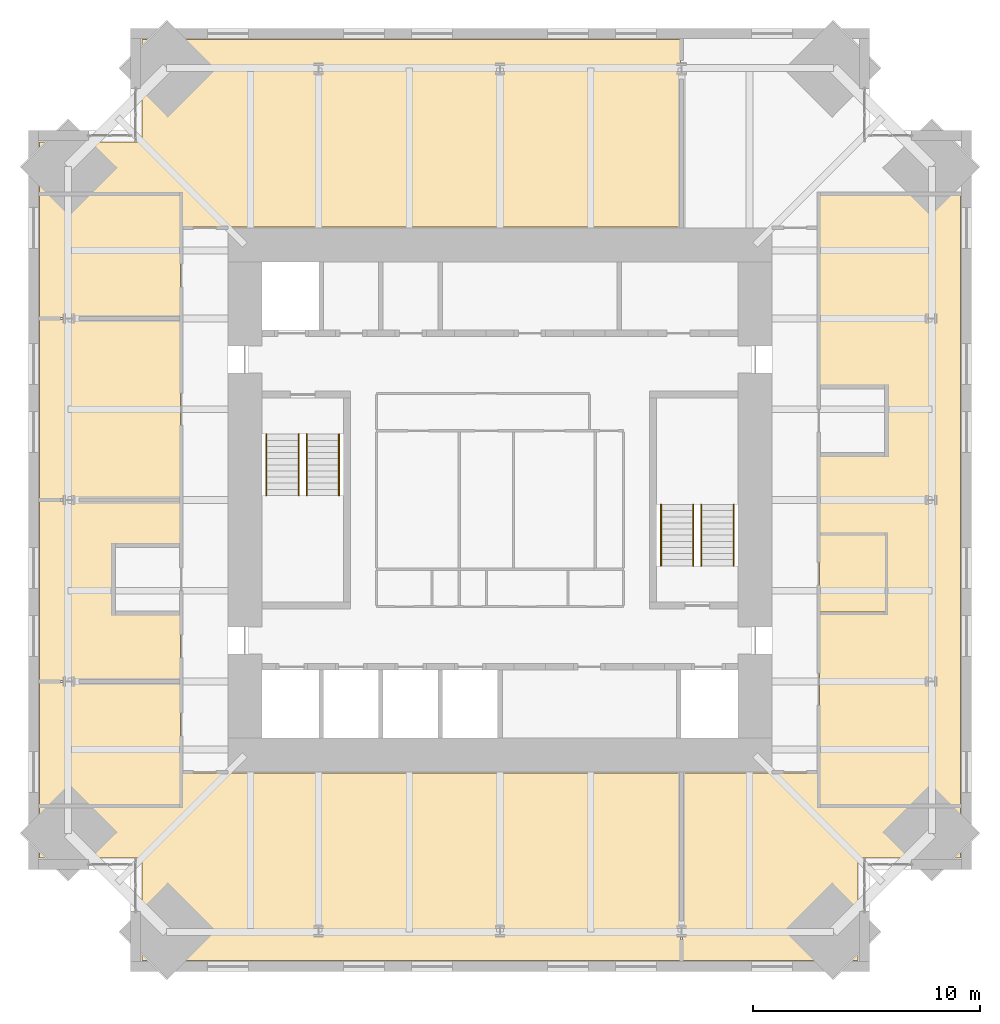
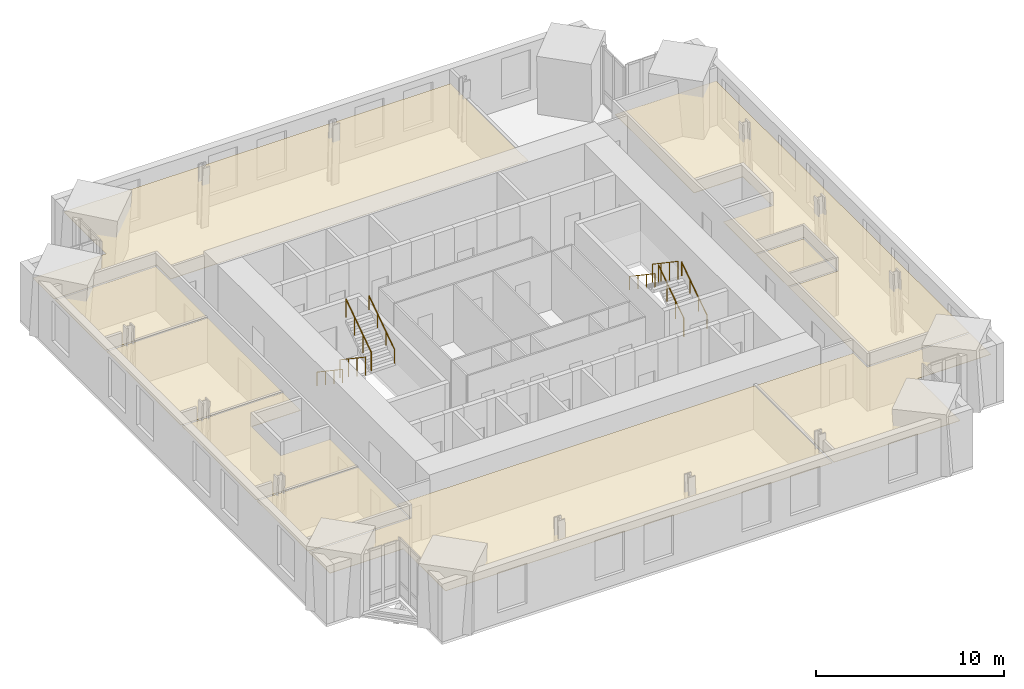
# One storey, part 15 of 15: 9 coverings, 8 railings.
"""IFC4 building model written with IfcOpenShell, lengths in metres."""

import ifcopenshell
import ifcopenshell.guid

model = None  # the IFC model being written
_history = None  # IfcOwnerHistory: only IFC2X3 demands one
_inside = {}  # id of a spatial element -> (the spatial element, [elements in it])
_under = {}  # id of a project, library or spatial element -> (it, [spatial elements below it])
_declared = {}  # id of a project -> (the project, [libraries it declares])
_typed = {}  # id of a type object -> (the type object, [elements of that type])
_made_of = {}  # id of a material, layer set ... -> (it, [elements and type objects made of it])


def new_model(schema):
    """Start an empty IFC model of exactly this schema.

    Asked for "IFC4X3", IfcOpenShell would pick the latest addendum, in which some entities
    have other attributes; the version numbers below select the first issue.
    IFC2X3 requires an IfcOwnerHistory on every rooted entity: one is made here for all.
    """
    global model, _history
    if schema == "IFC4X3":
        model = ifcopenshell.file(schema_version=(4, 3, 0, 0))
    else:
        model = ifcopenshell.file(schema=schema)
    _inside.clear()
    _under.clear()
    _declared.clear()
    _typed.clear()
    _made_of.clear()
    _history = None
    if model.schema == "IFC2X3":
        org = make("IfcOrganization", Name="unknown")
        user = make(
            "IfcPersonAndOrganization",
            ThePerson=make("IfcPerson", FamilyName="unknown"),
            TheOrganization=org,
        )
        app = make(
            "IfcApplication",
            ApplicationDeveloper=org,
            Version="unknown",
            ApplicationFullName="unknown",
            ApplicationIdentifier="unknown",
        )
        _history = make(
            "IfcOwnerHistory",
            OwningUser=user,
            OwningApplication=app,
            ChangeAction="ADDED",
            CreationDate=0,
        )
    return model


def make(cls, **values):
    """One entity of the class cls with the attributes given. An attribute that is None is left unset."""
    return model.create_entity(
        cls, **{name: value for name, value in values.items() if value is not None}
    )


def rooted(cls, **values):
    """An entity with a GlobalId (a new one), such as an element, a storey or a relation."""
    return make(cls, GlobalId=ifcopenshell.guid.new(), OwnerHistory=_history, **values)


def si_unit(unit_type, name, prefix=None):
    """IfcSIUnit, for example si_unit("LENGTHUNIT", "METRE", prefix="MILLI")."""
    return make("IfcSIUnit", UnitType=unit_type, Prefix=prefix, Name=name)


def assignment(units):
    """IfcUnitAssignment: the units of a project."""
    return None if units is None else make("IfcUnitAssignment", Units=units)


def point(xyz):
    """IfcCartesianPoint."""
    return None if xyz is None else make("IfcCartesianPoint", Coordinates=xyz)


def direction(xyz):
    """IfcDirection."""
    return None if xyz is None else make("IfcDirection", DirectionRatios=xyz)


def frame(location, z_axis=None, x_axis=None):
    """IfcAxis2Placement3D, a coordinate frame: its origin and axes. An axis left out is left unset."""
    return make(
        "IfcAxis2Placement3D",
        Location=point(location),
        Axis=direction(z_axis),
        RefDirection=direction(x_axis),
    )


def frame_2d(location, x_axis=None):
    """IfcAxis2Placement2D, a coordinate frame in the plane: its origin and x axis."""
    return make(
        "IfcAxis2Placement2D", Location=point(location), RefDirection=direction(x_axis)
    )


def origin():
    """The frame at (0, 0, 0) with its axes left unset."""
    return frame((0.0, 0.0, 0.0))


def origin_2d():
    """The frame at (0, 0) in the plane with its x axis left unset."""
    return frame_2d((0.0, 0.0))


def place(relative_to, where):
    """IfcLocalPlacement: puts the frame where relative to a parent placement (None: the world)."""
    return make(
        "IfcLocalPlacement", PlacementRelTo=relative_to, RelativePlacement=where
    )


def context(
    kind, dimensions, precision=None, world=None, true_north=None, identifier=None
):
    """IfcGeometricRepresentationContext, for example the 3D "Model" context."""
    return make(
        "IfcGeometricRepresentationContext",
        ContextIdentifier=identifier,
        ContextType=kind,
        CoordinateSpaceDimension=dimensions,
        Precision=precision,
        WorldCoordinateSystem=world,
        TrueNorth=true_north,
    )


def subcontext(parent, identifier, kind, view, scale=None):
    """IfcGeometricRepresentationSubContext, for example "Body" below "Model"."""
    return make(
        "IfcGeometricRepresentationSubContext",
        ContextIdentifier=identifier,
        ContextType=kind,
        ParentContext=parent,
        TargetScale=scale,
        TargetView=view,
    )


def project(units=None, contexts=None):
    """IfcProject with its units and contexts."""
    return rooted(
        "IfcProject",
        Name="project",
        RepresentationContexts=contexts,
        UnitsInContext=assignment(units),
    )


def spatial(cls, under=None, at=None, **own):
    """A site, building, storey or space (cls), placed at a placement, below another one or the project."""
    s = rooted(cls, ObjectPlacement=at, **own)
    if under is not None:
        _under.setdefault(under.id(), (under, []))[1].append(s)
    return s


def polyline(points):
    """IfcPolyline through the points."""
    return make("IfcPolyline", Points=[point(p) for p in points])


def profile(cls, at=None, kind="AREA", **sizes):
    """A parametric profile (cls). Its sizes go by their IFC names, for example OverallWidth=200.0."""
    return make(cls, ProfileType=kind, Position=at, **sizes)


def circle(**sizes):
    """IfcCircleProfileDef."""
    return profile("IfcCircleProfileDef", **sizes)


def outline(outer, holes=None, kind="AREA"):
    """IfcArbitraryClosedProfileDef: a profile drawn as a closed curve; with holes, ...WithVoids."""
    if holes is None:
        return make("IfcArbitraryClosedProfileDef", ProfileType=kind, OuterCurve=outer)
    return make(
        "IfcArbitraryProfileDefWithVoids",
        ProfileType=kind,
        OuterCurve=outer,
        InnerCurves=holes,
    )


def extrude(swept, where, along, depth):
    """IfcExtrudedAreaSolid: the profile swept, set in the frame where, extruded along a direction by depth."""
    return make(
        "IfcExtrudedAreaSolid",
        SweptArea=swept,
        Position=where,
        ExtrudedDirection=direction(along),
        Depth=depth,
    )


def shape(context_of_items, identifier, shape_type, items):
    """IfcShapeRepresentation: the items that make up one representation, for example the "Body"."""
    return make(
        "IfcShapeRepresentation",
        ContextOfItems=context_of_items,
        RepresentationIdentifier=identifier,
        RepresentationType=shape_type,
        Items=items,
    )


def material(Name=None, Category=None):
    """IfcMaterial."""
    return make("IfcMaterial", Name=Name, Category=Category)


def layer(
    of_material, thickness, ventilated=None, Name=None, Category=None, Priority=None
):
    """IfcMaterialLayer: one layer of a wall or slab, of a material (None: an air gap)."""
    return make(
        "IfcMaterialLayer",
        Material=of_material,
        LayerThickness=thickness,
        IsVentilated=ventilated,
        Name=Name,
        Category=Category,
        Priority=Priority,
    )


def layer_set(layers, Name=None):
    """IfcMaterialLayerSet."""
    return make("IfcMaterialLayerSet", MaterialLayers=layers, LayerSetName=Name)


def made_of(thing, what):
    """Note that an element or type object is made of a material, layer set ...; save() writes the relation."""
    if what is not None:
        _made_of.setdefault(what.id(), (what, []))[1].append(thing)
    return thing


def type_object(cls, material=None, **own):
    """A type object (cls), such as IfcWallType, which elements share."""
    return made_of(rooted(cls, **own), material)


def element(
    cls,
    number,
    at=None,
    inside=None,
    cuts=None,
    type_object=None,
    material=None,
    context=None,
    identifier="Body",
    shape_type=None,
    held_by="IfcProductDefinitionShape",
    body=None,
    shapes=None,
    **own,
):
    """One element of the class cls, such as IfcWall. Its Tag is "e" and its number.

    at: its placement. inside: the storey or other place that contains it. cuts: it is an
    opening in that element (IfcRelVoidsElement). A single representation is given by context,
    identifier, shape_type and body (its items); several are given by shapes. held_by: the class
    of the entity that holds the representations. save() writes the other relations.
    """
    e = rooted(cls, Tag="e%d" % number, ObjectPlacement=at, **own)
    if body is not None:
        shapes = [shape(context, identifier, shape_type, body)]
    if shapes is not None:
        e.Representation = make(held_by, Representations=shapes)
    if inside is not None:
        _inside.setdefault(inside.id(), (inside, []))[1].append(e)
    if cuts is not None:
        rooted(
            "IfcRelVoidsElement", RelatingBuildingElement=cuts, RelatedOpeningElement=e
        )
    if type_object is not None:
        _typed.setdefault(type_object.id(), (type_object, []))[1].append(e)
    return made_of(e, material)


def aggregate(whole, parts):
    """IfcRelAggregates: a whole, such as a stair, and the parts it consists of."""
    return rooted("IfcRelAggregates", RelatingObject=whole, RelatedObjects=parts)


def save(model, path):
    """Write the relations noted so far, then the file.

    IfcRelAggregates (storeys below a building ...), IfcRelContainedInSpatialStructure (elements
    in a storey), IfcRelDefinesByType, IfcRelAssociatesMaterial and IfcRelDeclares: one each for
    every whole, place, type object, material and project.
    """
    for whole, parts in _under.values():
        aggregate(whole, parts)
    for where, things in _inside.values():
        rooted(
            "IfcRelContainedInSpatialStructure",
            RelatedElements=things,
            RelatingStructure=where,
        )
    for kind, things in _typed.values():
        rooted("IfcRelDefinesByType", RelatedObjects=things, RelatingType=kind)
    for what, things in _made_of.values():
        rooted("IfcRelAssociatesMaterial", RelatedObjects=things, RelatingMaterial=what)
    for by, libraries in _declared.values():
        rooted("IfcRelDeclares", RelatingContext=by, RelatedDefinitions=libraries)
    model.write(path)


model = new_model("IFC4")

# Units and contexts
model_context = context("Model", 3, precision=1e-05, world=origin(), true_north=direction((0.0, 1.0)))
body_context = subcontext(model_context, "Body", "Model", "MODEL_VIEW")
ifc_project = project(units=[si_unit("LENGTHUNIT", "METRE"), si_unit("AREAUNIT", "SQUARE_METRE"), si_unit("VOLUMEUNIT", "CUBIC_METRE"), si_unit("PLANEANGLEUNIT", "RADIAN"), si_unit("MASSUNIT", "GRAM", prefix="KILO")], contexts=[model_context])

# Site, building, storey
site_placement = place(None, origin())
site = spatial("IfcSite", under=ifc_project, at=site_placement, CompositionType="ELEMENT")
building_placement = place(site_placement, origin())
building = spatial("IfcBuilding", under=site, at=building_placement, Name="Peilmerk Tower", CompositionType="ELEMENT")
storey_placement = place(building_placement, frame((0.0, 0.0, 293.800048828125)))
storey = spatial("IfcBuildingStorey", under=building, at=storey_placement, Name="L66", CompositionType="ELEMENT", Elevation=293.800048828125)

# Coverings
ifc_material_1 = material(Name="Mineral fibre ceiling tiles", Category="mineral")
ifc_layer = layer(ifc_material_1, 0.02490234375)
ifc_layer_set = layer_set([ifc_layer], Name="Mineral fibre ceiling tiles")
covering_type = type_object("IfcCoveringType", Name="CL1 25 suspended ceiling", PredefinedType="CEILING", material=ifc_layer_set)
covering_1_placement = place(storey_placement, frame((0.0, 0.0, 2.824951171875)))
element("IfcCovering", 1, at=covering_1_placement, inside=storey, type_object=covering_type, Name="Suspended ceiling Open workspace", PredefinedType="CEILING", context=body_context, shape_type="SweptSolid", body=[
    extrude(outline(polyline([(-20.300048828125, 15.800048828125), (-20.300048828125, 13.550048828125), (-14.0, 13.550048828125), (-14.0, 12.050048828125), (7.949951171875, 12.050048828125), (7.949951171875, 20.300048828125), (-15.800048828125, 20.300048828125), (-15.800048828125, 15.800048828125), (-20.300048828125, 15.800048828125)])), origin(), (0.0, 0.0, 1.0), 0.02490234375),
])
covering_2_placement = place(storey_placement, frame((0.0, 0.0, 2.824951171875)))
element("IfcCovering", 2, at=covering_2_placement, inside=storey, type_object=covering_type, Name="Suspended ceiling Reception", PredefinedType="CEILING", context=body_context, shape_type="SweptSolid", body=[
    extrude(outline(polyline([(-15.800048828125, -20.300048828125), (7.949951171875, -20.300048828125), (7.949951171875, -12.050048828125), (-14.0, -12.050048828125), (-14.0, -13.550048828125), (-20.300048828125, -13.550048828125), (-20.300048828125, -15.800048828125), (-15.800048828125, -15.800048828125), (-15.800048828125, -20.300048828125)])), origin(), (0.0, 0.0, 1.0), 0.02490234375),
])
covering_3_placement = place(storey_placement, frame((0.0, 0.0, 2.824951171875)))
element("IfcCovering", 3, at=covering_3_placement, inside=storey, type_object=covering_type, Name="Suspended ceiling Office", PredefinedType="CEILING", context=body_context, shape_type="SweptSolid", body=[
    extrude(outline(polyline([(8.050048828125, -20.300048828125), (15.800048828125, -20.300048828125), (15.800048828125, -15.800048828125), (20.300048828125, -15.800048828125), (20.300048828125, -13.550048828125), (14.0, -13.550048828125), (14.0, -12.050048828125), (8.050048828125, -12.050048828125), (8.050048828125, -20.300048828125)])), origin(), (0.0, 0.0, 1.0), 0.02490234375),
])
covering_4_placement = place(storey_placement, frame((0.0, 0.0, 2.824951171875)))
element("IfcCovering", 4, at=covering_4_placement, inside=storey, type_object=covering_type, Name="Suspended ceiling Client suite", PredefinedType="CEILING", context=body_context, shape_type="SweptSolid", body=[
    extrude(outline(polyline([(14.10009765625, -13.449951171875), (20.300048828125, -13.449951171875), (20.300048828125, 13.449951171875), (14.10009765625, 13.449951171875), (14.10009765625, 5.050048828125), (17.10009765625, 5.050048828125), (17.10009765625, 1.949951171875), (14.10009765625, 1.949951171875), (14.10009765625, -1.449951171875), (17.10009765625, -1.449951171875), (17.10009765625, -5.050048828125), (14.10009765625, -5.050048828125), (14.10009765625, -13.449951171875)])), origin(), (0.0, 0.0, 1.0), 0.02490234375),
])
covering_5_placement = place(storey_placement, frame((0.0, 0.0, 2.824951171875)))
element("IfcCovering", 5, at=covering_5_placement, inside=storey, type_object=covering_type, Name="Suspended ceiling Pantry", PredefinedType="CEILING", context=body_context, shape_type="SweptSolid", body=[
    extrude(outline(polyline([(17.0, -4.949951171875), (17.0, -1.550048828125), (14.10009765625, -1.550048828125), (14.10009765625, -4.949951171875), (17.0, -4.949951171875)])), origin(), (0.0, 0.0, 1.0), 0.02490234375),
])
covering_6_placement = place(storey_placement, frame((0.0, 0.0, 2.824951171875)))
element("IfcCovering", 6, at=covering_6_placement, inside=storey, type_object=covering_type, Name="Suspended ceiling Executive office", PredefinedType="CEILING", context=body_context, shape_type="SweptSolid", body=[
    extrude(outline(polyline([(-20.300048828125, -8.050048828125), (-20.300048828125, -13.449951171875), (-14.10009765625, -13.449951171875), (-14.10009765625, -8.050048828125), (-20.300048828125, -8.050048828125)])), origin(), (0.0, 0.0, 1.0), 0.02490234375),
])
covering_7_placement = place(storey_placement, frame((0.0, 0.0, 2.824951171875)))
element("IfcCovering", 7, at=covering_7_placement, inside=storey, type_object=covering_type, Name="Suspended ceiling Executive office", PredefinedType="CEILING", context=body_context, shape_type="SweptSolid", body=[
    extrude(outline(polyline([(-14.10009765625, -0.050048828125), (-20.300048828125, -0.050048828125), (-20.300048828125, -7.949951171875), (-14.10009765625, -7.949951171875), (-14.10009765625, -5.050048828125), (-17.10009765625, -5.050048828125), (-17.10009765625, -1.949951171875), (-14.10009765625, -1.949951171875), (-14.10009765625, -0.050048828125)])), origin(), (0.0, 0.0, 1.0), 0.02490234375),
])
covering_8_placement = place(storey_placement, frame((0.0, 0.0, 2.824951171875)))
element("IfcCovering", 8, at=covering_8_placement, inside=storey, type_object=covering_type, Name="Suspended ceiling Board room", PredefinedType="CEILING", context=body_context, shape_type="SweptSolid", body=[
    extrude(outline(polyline([(-20.300048828125, 7.949951171875), (-20.300048828125, 0.050048828125), (-14.10009765625, 0.050048828125), (-14.10009765625, 7.949951171875), (-20.300048828125, 7.949951171875)])), origin(), (0.0, 0.0, 1.0), 0.02490234375),
])
covering_9_placement = place(storey_placement, frame((0.0, 0.0, 2.824951171875)))
element("IfcCovering", 9, at=covering_9_placement, inside=storey, type_object=covering_type, Name="Suspended ceiling Executive office", PredefinedType="CEILING", context=body_context, shape_type="SweptSolid", body=[
    extrude(outline(polyline([(-20.300048828125, 13.449951171875), (-20.300048828125, 8.050048828125), (-14.10009765625, 8.050048828125), (-14.10009765625, 13.449951171875), (-20.300048828125, 13.449951171875)])), origin(), (0.0, 0.0, 1.0), 0.02490234375),
])

# Railings
ifc_material_2 = material(Name="Steel flat bar balustrade", Category="steel")
railing_type_1 = type_object("IfcRailingType", Name="GR1 1200 stair guard", PredefinedType="GUARDRAIL", material=ifc_material_2)
railing_1_placement = place(storey_placement, frame((-8.8798828125, 2.89990234375, 0.181884765625)))
element("IfcRailing", 10, at=railing_1_placement, inside=storey, type_object=railing_type_1, Name="Guard stair 1 L66", PredefinedType="GUARDRAIL", context=body_context, shape_type="SweptSolid", body=[
    extrude(circle(Radius=0.02392578125, at=origin_2d()), frame((0.0, 0.0, 1.17578125), z_axis=(0.0, -0.829468130872, 0.55855404382), x_axis=(1.0, 0.0, 0.0)), (0.0, 0.0, 1.0), 3.255126953125),
    extrude(circle(Radius=0.02099609375, at=origin_2d()), origin(), (0.0, 0.0, 1.0), 1.15185546875),
    extrude(circle(Radius=0.02099609375, at=origin_2d()), frame((0.0, -0.89990234375, 0.60595703125)), (0.0, 0.0, 1.0), 1.15185546875),
    extrude(circle(Radius=0.02099609375, at=origin_2d()), frame((0.0, -1.800048828125, 1.212158203125)), (0.0, 0.0, 1.0), 1.15185546875),
    extrude(circle(Radius=0.02099609375, at=origin_2d()), frame((0.0, -2.699951171875, 1.818115234375)), (0.0, 0.0, 1.0), 1.15185546875),
])
for number, where, name in (
    (11, (-8.52001953125, 0.199951171875, 2.181884765625), "Guard stair 1 L66"),
    (12, (8.8798828125, -2.89990234375, 0.181884765625), "Guard stair 2 L66"),
):
    element("IfcRailing", number, at=place(storey_placement, frame(where)), inside=storey, type_object=railing_type_1, Name=name, PredefinedType="GUARDRAIL", context=body_context, shape_type="SweptSolid", body=[
        extrude(circle(Radius=0.02392578125, at=origin_2d()), frame((0.0, 0.0, 1.17578125), z_axis=(0.0, 0.829468130872, 0.55855404382), x_axis=(-1.0, 0.0, 0.0)), (0.0, 0.0, 1.0), 3.255126953125),
        extrude(circle(Radius=0.02099609375, at=origin_2d()), origin(), (0.0, 0.0, 1.0), 1.15185546875),
        extrude(circle(Radius=0.02099609375, at=origin_2d()), frame((0.0, 0.89990234375, 0.60595703125)), (0.0, 0.0, 1.0), 1.15185546875),
        extrude(circle(Radius=0.02099609375, at=origin_2d()), frame((0.0, 1.800048828125, 1.212158203125)), (0.0, 0.0, 1.0), 1.15185546875),
        extrude(circle(Radius=0.02099609375, at=origin_2d()), frame((0.0, 2.699951171875, 1.818115234375)), (0.0, 0.0, 1.0), 1.15185546875),
    ])
railing_2_placement = place(storey_placement, frame((8.52001953125, -0.199951171875, 2.181884765625)))
element("IfcRailing", 13, at=railing_2_placement, inside=storey, type_object=railing_type_1, Name="Guard stair 2 L66", PredefinedType="GUARDRAIL", context=body_context, shape_type="SweptSolid", body=[
    extrude(circle(Radius=0.02392578125, at=origin_2d()), frame((0.0, 0.0, 1.17578125), z_axis=(0.0, -0.829468130872, 0.55855404382), x_axis=(1.0, 0.0, 0.0)), (0.0, 0.0, 1.0), 3.255126953125),
    extrude(circle(Radius=0.02099609375, at=origin_2d()), origin(), (0.0, 0.0, 1.0), 1.15185546875),
    extrude(circle(Radius=0.02099609375, at=origin_2d()), frame((0.0, -0.89990234375, 0.60595703125)), (0.0, 0.0, 1.0), 1.15185546875),
    extrude(circle(Radius=0.02099609375, at=origin_2d()), frame((0.0, -1.800048828125, 1.212158203125)), (0.0, 0.0, 1.0), 1.15185546875),
    extrude(circle(Radius=0.02099609375, at=origin_2d()), frame((0.0, -2.699951171875, 1.818115234375)), (0.0, 0.0, 1.0), 1.15185546875),
])
ifc_material_3 = material(Name="Stainless steel tube", Category="steel")
railing_type_2 = type_object("IfcRailingType", Name="HR1 900 stair handrail", PredefinedType="HANDRAIL", material=ifc_material_3)
railing_3_placement = place(storey_placement, frame((-10.300048828125, 2.89990234375, 0.181884765625)))
element("IfcRailing", 14, at=railing_3_placement, inside=storey, type_object=railing_type_2, Name="Handrail stair 1 L66", PredefinedType="HANDRAIL", context=body_context, shape_type="SweptSolid", body=[
    extrude(circle(Radius=0.02392578125, at=origin_2d()), frame((0.0, 0.0, 0.8759765625), z_axis=(0.0, -0.829468130872, 0.55855404382), x_axis=(1.0, 0.0, 0.0)), (0.0, 0.0, 1.0), 3.255126953125),
    extrude(circle(Radius=0.02099609375, at=origin_2d()), origin(), (0.0, 0.0, 1.0), 0.851806640625),
    extrude(circle(Radius=0.02099609375, at=origin_2d()), frame((0.0, -0.89990234375, 0.60595703125)), (0.0, 0.0, 1.0), 0.851806640625),
    extrude(circle(Radius=0.02099609375, at=origin_2d()), frame((0.0, -1.800048828125, 1.212158203125)), (0.0, 0.0, 1.0), 0.851806640625),
    extrude(circle(Radius=0.02099609375, at=origin_2d()), frame((0.0, -2.699951171875, 1.818115234375)), (0.0, 0.0, 1.0), 0.851806640625),
])
for number, where, name in (
    (15, (-7.10009765625, 0.199951171875, 2.181884765625), "Handrail stair 1 L66"),
    (16, (10.300048828125, -2.89990234375, 0.181884765625), "Handrail stair 2 L66"),
):
    element("IfcRailing", number, at=place(storey_placement, frame(where)), inside=storey, type_object=railing_type_2, Name=name, PredefinedType="HANDRAIL", context=body_context, shape_type="SweptSolid", body=[
        extrude(circle(Radius=0.02392578125, at=origin_2d()), frame((0.0, 0.0, 0.8759765625), z_axis=(0.0, 0.829468130872, 0.55855404382), x_axis=(-1.0, 0.0, 0.0)), (0.0, 0.0, 1.0), 3.255126953125),
        extrude(circle(Radius=0.02099609375, at=origin_2d()), origin(), (0.0, 0.0, 1.0), 0.851806640625),
        extrude(circle(Radius=0.02099609375, at=origin_2d()), frame((0.0, 0.89990234375, 0.60595703125)), (0.0, 0.0, 1.0), 0.851806640625),
        extrude(circle(Radius=0.02099609375, at=origin_2d()), frame((0.0, 1.800048828125, 1.212158203125)), (0.0, 0.0, 1.0), 0.851806640625),
        extrude(circle(Radius=0.02099609375, at=origin_2d()), frame((0.0, 2.699951171875, 1.818115234375)), (0.0, 0.0, 1.0), 0.851806640625),
    ])
railing_4_placement = place(storey_placement, frame((7.10009765625, -0.199951171875, 2.181884765625)))
element("IfcRailing", 17, at=railing_4_placement, inside=storey, type_object=railing_type_2, Name="Handrail stair 2 L66", PredefinedType="HANDRAIL", context=body_context, shape_type="SweptSolid", body=[
    extrude(circle(Radius=0.02392578125, at=origin_2d()), frame((0.0, 0.0, 0.8759765625), z_axis=(0.0, -0.829468130872, 0.55855404382), x_axis=(1.0, 0.0, 0.0)), (0.0, 0.0, 1.0), 3.255126953125),
    extrude(circle(Radius=0.02099609375, at=origin_2d()), origin(), (0.0, 0.0, 1.0), 0.851806640625),
    extrude(circle(Radius=0.02099609375, at=origin_2d()), frame((0.0, -0.89990234375, 0.60595703125)), (0.0, 0.0, 1.0), 0.851806640625),
    extrude(circle(Radius=0.02099609375, at=origin_2d()), frame((0.0, -1.800048828125, 1.212158203125)), (0.0, 0.0, 1.0), 0.851806640625),
    extrude(circle(Radius=0.02099609375, at=origin_2d()), frame((0.0, -2.699951171875, 1.818115234375)), (0.0, 0.0, 1.0), 0.851806640625),
])

save(model, "model.ifc")
